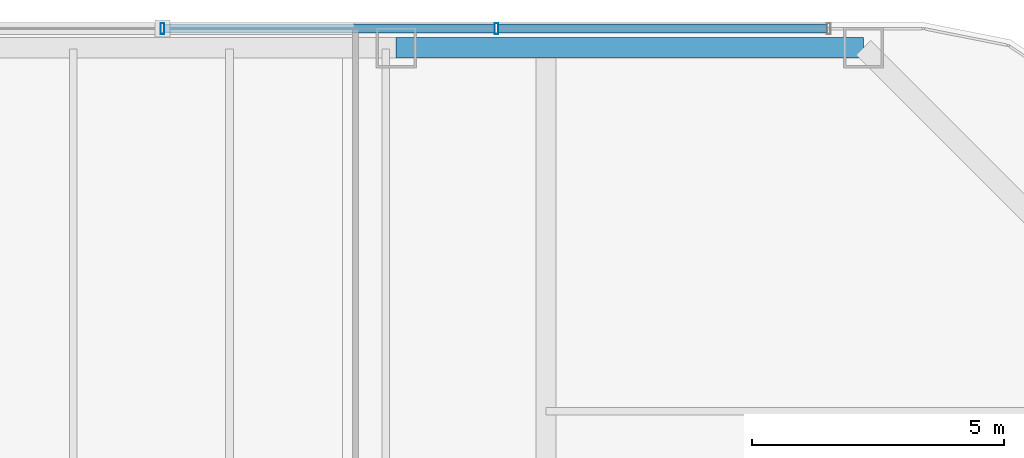
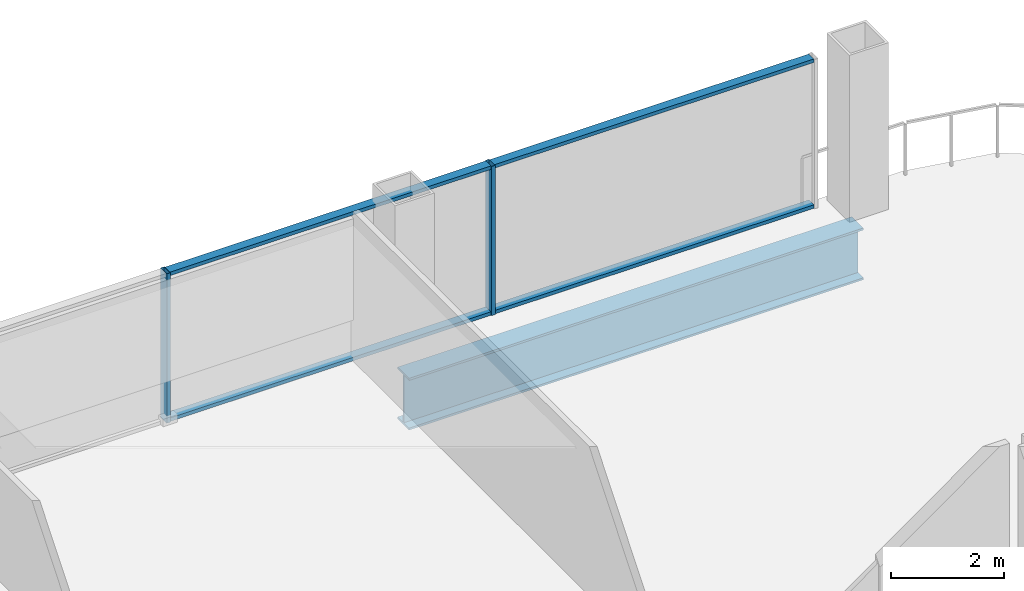
# One storey, part 13 of 20: 6 members, 1 beam, 1 element without a shape of its own.
"""IFC4 building model written with IfcOpenShell, lengths in metres."""

from ifc_helpers import new_model, si_unit, direction, frame, origin, origin_2d, place, context, subcontext, project, spatial, hollow_rectangle, i_section, extrude, material, layer, layer_set, material_profile, profile_set, type_object, element, aggregate, save


model = new_model("IFC4")

# Units and contexts
model_context = context("Model", 3, precision=1e-05, world=origin(), true_north=direction((0.0, 1.0)))
body_context = subcontext(model_context, "Body", "Model", "MODEL_VIEW")
ifc_project = project(units=[si_unit("LENGTHUNIT", "METRE"), si_unit("AREAUNIT", "SQUARE_METRE"), si_unit("VOLUMEUNIT", "CUBIC_METRE"), si_unit("PLANEANGLEUNIT", "RADIAN"), si_unit("MASSUNIT", "GRAM", prefix="KILO")], contexts=[model_context])

# Site, building, storey
site_placement = place(None, origin())
site = spatial("IfcSite", under=ifc_project, at=site_placement, CompositionType="ELEMENT")
building_placement = place(site_placement, origin())
building = spatial("IfcBuilding", under=site, at=building_placement, Name="Qhalaya Broadcast Tower", CompositionType="ELEMENT")
storey_placement = place(building_placement, frame((0.0, 0.0, 104.85009765625)))
storey = spatial("IfcBuildingStorey", under=building, at=storey_placement, Name="L30", CompositionType="ELEMENT", Elevation=104.85009765625)

# Beam
ifc_material_1 = material(Name="Structural Steel ASTM A992 Grade 50", Category="steel")
ifc_material_profile_1 = material_profile(ifc_material_1, i_section(OverallWidth=0.404052734375, OverallDepth=1.117919921875, WebThickness=0.026123046875, FlangeThickness=0.044921875, at=origin_2d()), Name="W44X335")
ifc_profile_set_1 = profile_set([ifc_material_profile_1], Name="Structural Steel ASTM A992 Grade 50")
beam_type = type_object("IfcBeamType", Name="Podium Long-Span Primary Girder PG1", PredefinedType="USERDEFINED", material=ifc_profile_set_1)
beam_placement = place(storey_placement, frame((15.669921875, 24.409912109375, -0.939208984375), z_axis=(-1.0, 0.0, 0.0), x_axis=(0.0, -1.0, 0.0)))
element("IfcBeam", 1, at=beam_placement, inside=storey, type_object=beam_type, Name="L30 PG1 L30-SPR-09", ObjectType="GIRDER", PredefinedType="USERDEFINED", context=body_context, shape_type="SweptSolid", body=[
    extrude(i_section(OverallWidth=0.404052734375, OverallDepth=1.117919921875, WebThickness=0.026123046875, FlangeThickness=0.044921875, at=origin_2d()), origin(), (0.0, 0.0, 1.0), 9.2666015625),
])

# Curtain wall, members
ifc_material_2 = material(Name="Solar-Control Low-E Triple Glazing", Category="glass")
ifc_layer = layer(ifc_material_2, 0.219970703125, Name="Solar-Control Low-E Triple Glazing")
ifc_layer_set = layer_set([ifc_layer], Name="Solar-Control Low-E Triple Glazing")
curtain_wall_type = type_object("IfcCurtainWallType", Name="Recessed Sky-Garden Neck Ribbon Curtain Wall CW-05", PredefinedType="NOTDEFINED", material=ifc_layer_set)
curtain_wall_placement = place(storey_placement, origin())
curtain_wall = element("IfcCurtainWall", 2, at=curtain_wall_placement, inside=storey, type_object=curtain_wall_type, Name="L30 Unitised Curtain Wall L30-CW-N", PredefinedType="NOTDEFINED")
ifc_material_3 = material(Name="Anodised Aluminium 6063-T6", Category="aluminium")
ifc_material_profile_2 = material_profile(ifc_material_3, hollow_rectangle(XDim=0.074951171875, YDim=0.219970703125, WallThickness=0.00390625, at=origin_2d()), Name="ALU-MUL 75x220x4")
ifc_profile_set_2 = profile_set([ifc_material_profile_2], Name="Anodised Aluminium 6063-T6")
member_type_1 = type_object("IfcMemberType", Name="Unitised Curtain-Wall Mullion M01", PredefinedType="MULLION", material=ifc_profile_set_2)
member_1_placement = place(storey_placement, frame((8.39501953125, 24.7900390625, 0.0), z_axis=(0.0, 0.0, 1.0), x_axis=(-1.0, 0.0, 0.0)))
member_1 = element("IfcMember", 3, at=member_1_placement, type_object=member_type_1, Name="CW-05 mullion 2", PredefinedType="MULLION", context=body_context, shape_type="SweptSolid", body=[
    extrude(hollow_rectangle(XDim=0.074951171875, YDim=0.219970703125, WallThickness=0.00390625, at=origin_2d()), origin(), (0.0, 0.0, 1.0), 3.219970703125),
])
member_2_placement = place(storey_placement, frame((1.77001953125, 24.7900390625, 0.0), z_axis=(0.0, 0.0, 1.0), x_axis=(-1.0, 0.0, 0.0)))
member_2 = element("IfcMember", 4, at=member_2_placement, type_object=member_type_1, Name="CW-05 mullion 3", PredefinedType="MULLION", context=body_context, shape_type="SweptSolid", body=[
    extrude(hollow_rectangle(XDim=0.074951171875, YDim=0.219970703125, WallThickness=0.00390625, at=origin_2d()), origin(), (0.0, 0.0, 1.0), 3.219970703125),
])
ifc_material_profile_3 = material_profile(ifc_material_3, hollow_rectangle(XDim=0.074951171875, YDim=0.179931640625, WallThickness=0.00390625, at=origin_2d()), Name="ALU-TRN 75x180x4")
ifc_profile_set_3 = profile_set([ifc_material_profile_3], Name="Anodised Aluminium 6063-T6")
member_type_2 = type_object("IfcMemberType", Name="Unitised Curtain-Wall Transom T01", PredefinedType="USERDEFINED", material=ifc_profile_set_3)
member_3_placement = place(storey_placement, frame((14.945068359375, 24.7900390625, 0.037353515625), z_axis=(-1.0, 0.0, 0.0), x_axis=(0.0, 0.0, 1.0)))
member_3 = element("IfcMember", 5, at=member_3_placement, type_object=member_type_2, Name="CW-05 transom 1.1", ObjectType="TRANSOM", PredefinedType="USERDEFINED", context=body_context, shape_type="SweptSolid", body=[
    extrude(hollow_rectangle(XDim=0.074951171875, YDim=0.179931640625, WallThickness=0.00390625, at=origin_2d()), origin(), (0.0, 0.0, 1.0), 6.512451171875),
])
member_4_placement = place(storey_placement, frame((14.945068359375, 24.7900390625, 3.182373046875), z_axis=(-1.0, 0.0, 0.0), x_axis=(0.0, 0.0, 1.0)))
member_4 = element("IfcMember", 6, at=member_4_placement, type_object=member_type_2, Name="CW-05 transom 1.2", ObjectType="TRANSOM", PredefinedType="USERDEFINED", context=body_context, shape_type="SweptSolid", body=[
    extrude(hollow_rectangle(XDim=0.074951171875, YDim=0.179931640625, WallThickness=0.00390625, at=origin_2d()), origin(), (0.0, 0.0, 1.0), 6.512451171875),
])
member_5_placement = place(storey_placement, frame((8.357421875, 24.7900390625, 0.037353515625), z_axis=(-1.0, 0.0, 0.0), x_axis=(0.0, 0.0, 1.0)))
member_5 = element("IfcMember", 7, at=member_5_placement, type_object=member_type_2, Name="CW-05 transom 2.1", ObjectType="TRANSOM", PredefinedType="USERDEFINED", context=body_context, shape_type="SweptSolid", body=[
    extrude(hollow_rectangle(XDim=0.074951171875, YDim=0.179931640625, WallThickness=0.00390625, at=origin_2d()), origin(), (0.0, 0.0, 1.0), 6.5498046875),
])
member_6_placement = place(storey_placement, frame((8.357421875, 24.7900390625, 3.182373046875), z_axis=(-1.0, 0.0, 0.0), x_axis=(0.0, 0.0, 1.0)))
member_6 = element("IfcMember", 8, at=member_6_placement, type_object=member_type_2, Name="CW-05 transom 2.2", ObjectType="TRANSOM", PredefinedType="USERDEFINED", context=body_context, shape_type="SweptSolid", body=[
    extrude(hollow_rectangle(XDim=0.074951171875, YDim=0.179931640625, WallThickness=0.00390625, at=origin_2d()), origin(), (0.0, 0.0, 1.0), 6.5498046875),
])
aggregate(curtain_wall, [member_1, member_2, member_3, member_4, member_5, member_6])

save(model, "model.ifc")
